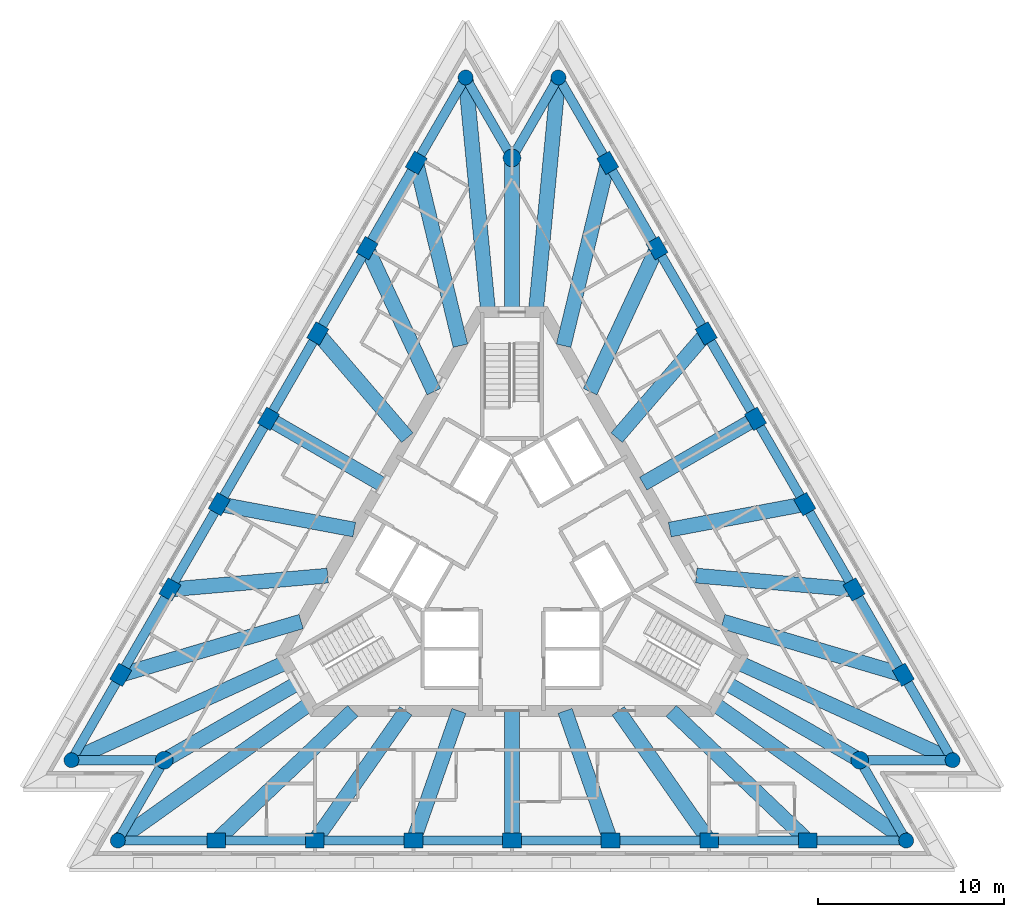
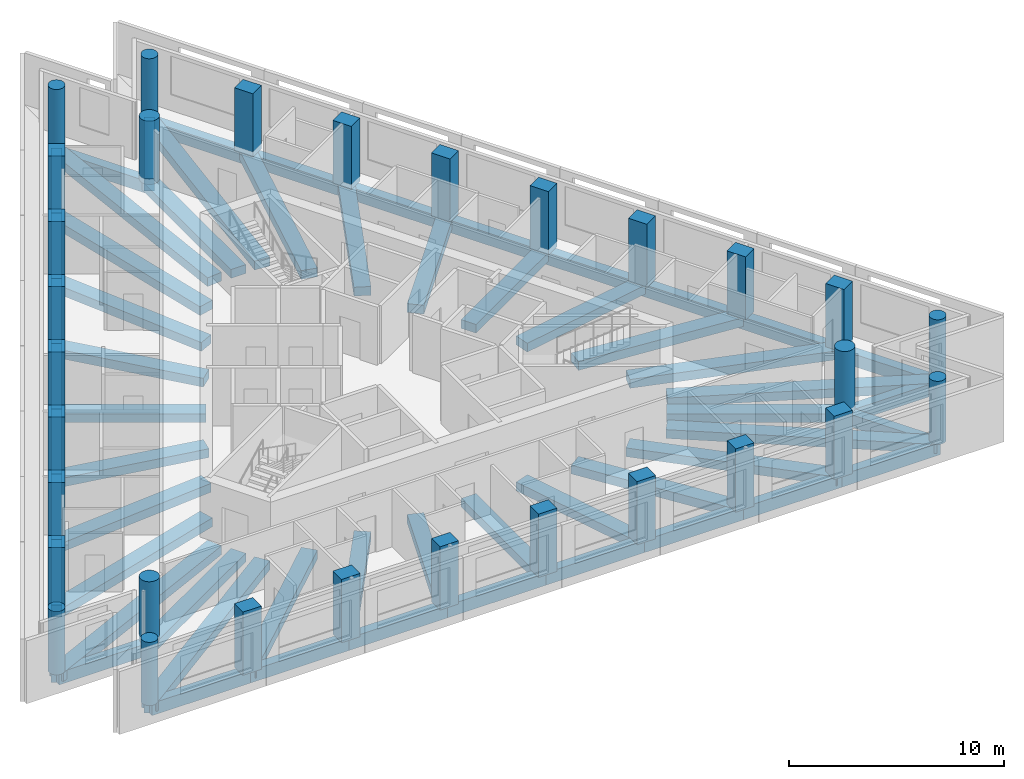
# One storey, part 1 of 11: 60 beams, 30 columns.
"""IFC4 building model written with IfcOpenShell, lengths in metres."""

from ifc_helpers import new_model, si_unit, direction, frame, origin, origin_2d, place, context, subcontext, project, spatial, rectangle, circle, extrude, material, material_profile, profile_set, type_object, element, save


model = new_model("IFC4")

# Units and contexts
model_context = context("Model", 3, precision=1e-05, world=origin(), true_north=direction((0.0, 1.0)))
body_context = subcontext(model_context, "Body", "Model", "MODEL_VIEW")
ifc_project = project(units=[si_unit("LENGTHUNIT", "METRE"), si_unit("AREAUNIT", "SQUARE_METRE"), si_unit("VOLUMEUNIT", "CUBIC_METRE"), si_unit("PLANEANGLEUNIT", "RADIAN"), si_unit("MASSUNIT", "GRAM", prefix="KILO")], contexts=[model_context])

# Site, building, storey
site_placement = place(None, origin())
site = spatial("IfcSite", under=ifc_project, at=site_placement, CompositionType="ELEMENT")
building_placement = place(site_placement, origin())
building = spatial("IfcBuilding", under=site, at=building_placement, Name="Triada Interchange Tower", CompositionType="ELEMENT")
storey_placement = place(building_placement, frame((0.0, 0.0, 307.89990234375)))
storey = spatial("IfcBuildingStorey", under=building, at=storey_placement, Name="L73", CompositionType="ELEMENT", Elevation=307.89990234375)

# Columns
ifc_material_1 = material(Name="Concrete C40/50", Category="concrete")
ifc_material_profile_1 = material_profile(ifc_material_1, rectangle(XDim=1.0, YDim=0.800048828125, at=origin_2d()), Name="RC 1000x800")
ifc_profile_set_1 = profile_set([ifc_material_profile_1], Name="Concrete C40/50")
column_type_1 = type_object("IfcColumnType", Name="Column D face RC 1000x800", PredefinedType="COLUMN", material=ifc_profile_set_1)
for number, where, z_axis, x_axis, name in (
    (1, (-5.14794921875, 21.3359375, -0.2998046875), (0.0, 0.0, 1.0), (0.5, 0.866025403784, 0.0), "Column CD02 L73"),
    (2, (-7.799072265625, 16.7451171875, -0.2998046875), (0.0, 0.0, 1.0), (0.5, 0.866025403784, 0.0), "Column CD03 L73"),
    (3, (-10.449951171875, 12.154052734375, -0.2998046875), (0.0, 0.0, 1.0), (0.5, 0.866025403784, 0.0), "Column CD04 L73"),
    (4, (-13.10009765625, 7.56298828125, -0.2998046875), (0.0, 0.0, 1.0), (0.5, 0.866025403784, 0.0), "Column CD05 L73"),
    (5, (-15.7509765625, 2.972900390625, -0.2998046875), (0.0, 0.0, 1.0), (0.5, 0.866025403784, 0.0), "Column CD06 L73"),
    (6, (-18.40087890625, -1.617919921875, -0.2998046875), (0.0, 0.0, 1.0), (0.5, 0.866025403784, 0.0), "Column CD07 L73"),
    (7, (-21.052001953125, -6.208984375, -0.2998046875), (0.0, 0.0, 1.0), (0.5, 0.866025403784, 0.0), "Column CD08 L73"),
    (8, (-15.903076171875, -15.126953125, -0.2998046875), (0.0, 0.0, 1.0), (1.0, 0.0, 0.0), "Column CD11 L73"),
    (9, (-10.60205078125, -15.126953125, -0.2998046875), (0.0, 0.0, 1.0), (1.0, 0.0, 0.0), "Column CD12 L73"),
    (10, (-5.301025390625, -15.126953125, -0.2998046875), (0.0, 0.0, 1.0), (1.0, 0.0, 0.0), "Column CD13 L73"),
    (11, (0.0, -15.126953125, -0.2998046875), (0.0, 0.0, 1.0), (1.0, 0.0, 0.0), "Column CD14 L73"),
    (12, (5.301025390625, -15.126953125, -0.2998046875), (0.0, 0.0, 1.0), (1.0, 0.0, 0.0), "Column CD15 L73"),
    (13, (10.60205078125, -15.126953125, -0.2998046875), (0.0, 0.0, 1.0), (1.0, 0.0, 0.0), "Column CD16 L73"),
    (14, (15.903076171875, -15.126953125, -0.2998046875), (0.0, 0.0, 1.0), (1.0, 0.0, 0.0), "Column CD17 L73"),
    (15, (21.052001953125, -6.208984375, -0.2998046875), (0.0, 0.0, 1.0), (-0.5, 0.866025403784, 0.0), "Column CD20 L73"),
    (16, (18.40087890625, -1.617919921875, -0.2998046875), (0.0, 0.0, 1.0), (-0.5, 0.866025403784, 0.0), "Column CD21 L73"),
    (17, (15.7509765625, 2.972900390625, -0.2998046875), (0.0, 0.0, 1.0), (-0.5, 0.866025403784, 0.0), "Column CD22 L73"),
    (18, (13.10009765625, 7.56396484375, -0.2998046875), (0.0, 0.0, 1.0), (-0.5, 0.866025403784, 0.0), "Column CD23 L73"),
    (19, (10.449951171875, 12.154052734375, -0.2998046875), (0.0, 0.0, 1.0), (-0.5, 0.866025403784, 0.0), "Column CD24 L73"),
    (20, (7.799072265625, 16.7451171875, -0.2998046875), (0.0, 0.0, 1.0), (-0.5, 0.866025403784, 0.0), "Column CD25 L73"),
    (21, (5.14892578125, 21.3359375, -0.2998046875), (0.0, 0.0, 1.0), (-0.5, 0.866025403784, 0.0), "Column CD26 L73"),
):
    element("IfcColumn", number, at=place(storey_placement, frame(where, z_axis=z_axis, x_axis=x_axis)), inside=storey, type_object=column_type_1, Name=name, PredefinedType="COLUMN", context=body_context, shape_type="SweptSolid", body=[
        extrude(rectangle(XDim=1.0, YDim=0.800048828125, at=origin_2d()), origin(), (0.0, 0.0, 1.0), 3.599853515625),
    ])
ifc_material_profile_2 = material_profile(ifc_material_1, circle(Radius=0.39990234375, at=origin_2d()), Name="RC D800")
ifc_profile_set_2 = profile_set([ifc_material_profile_2], Name="Concrete C40/50")
column_type_2 = type_object("IfcColumnType", Name="End column D RC D800", PredefinedType="COLUMN", material=ifc_profile_set_2)
for number, where, z_axis, x_axis, name in (
    (22, (-2.498046875, 25.927001953125, -0.2998046875), (0.0, 0.0, 1.0), (0.5, 0.866025403784, 0.0), "Column CD01 L73"),
    (23, (-23.701904296875, -10.800048828125, -0.2998046875), (0.0, 0.0, 1.0), (0.5, 0.866025403784, 0.0), "Column CD09 L73"),
    (24, (-21.2041015625, -15.126953125, -0.2998046875), (0.0, 0.0, 1.0), (1.0, 0.0, 0.0), "Column CD10 L73"),
    (25, (21.2041015625, -15.126953125, -0.2998046875), (0.0, 0.0, 1.0), (1.0, 0.0, 0.0), "Column CD18 L73"),
    (26, (23.701904296875, -10.800048828125, -0.2998046875), (0.0, 0.0, 1.0), (-0.5, 0.866025403784, 0.0), "Column CD19 L73"),
    (27, (2.498046875, 25.927001953125, -0.2998046875), (0.0, 0.0, 1.0), (-0.5, 0.866025403784, 0.0), "Column CD27 L73"),
):
    element("IfcColumn", number, at=place(storey_placement, frame(where, z_axis=z_axis, x_axis=x_axis)), inside=storey, type_object=column_type_2, Name=name, PredefinedType="COLUMN", context=body_context, shape_type="SweptSolid", body=[
        extrude(circle(Radius=0.39990234375, at=origin_2d()), origin(), (0.0, 0.0, 1.0), 3.599853515625),
    ])
ifc_material_profile_3 = material_profile(ifc_material_1, circle(Radius=0.47509765625, at=origin_2d()), Name="RC D950")
ifc_profile_set_3 = profile_set([ifc_material_profile_3], Name="Concrete C40/50")
column_type_3 = type_object("IfcColumnType", Name="Mega column D RC D950", PredefinedType="COLUMN", material=ifc_profile_set_3)
for number, where, z_axis, x_axis, name in (
    (28, (0.0, 21.59912109375, -0.2998046875), (0.0, 0.0, 1.0), (1.0, 0.0, 0.0), "Column MD1 L73"),
    (29, (-18.705078125, -10.800048828125, -0.2998046875), (0.0, 0.0, 1.0), (1.0, 0.0, 0.0), "Column MD2 L73"),
    (30, (18.705078125, -10.800048828125, -0.2998046875), (0.0, 0.0, 1.0), (1.0, 0.0, 0.0), "Column MD3 L73"),
):
    element("IfcColumn", number, at=place(storey_placement, frame(where, z_axis=z_axis, x_axis=x_axis)), inside=storey, type_object=column_type_3, Name=name, PredefinedType="COLUMN", context=body_context, shape_type="SweptSolid", body=[
        extrude(circle(Radius=0.47509765625, at=origin_2d()), origin(), (0.0, 0.0, 1.0), 3.599853515625),
    ])

# Beams
ifc_material_2 = material(Name="Concrete C50/60", Category="concrete")
ifc_material_profile_4 = material_profile(ifc_material_2, rectangle(XDim=0.800048828125, YDim=0.5, at=origin_2d()), Name="RC 800x500")
ifc_profile_set_4 = profile_set([ifc_material_profile_4], Name="Concrete C50/60")
beam_type_1 = type_object("IfcBeamType", Name="Radial band beam D RC 800x500", PredefinedType="BEAM", material=ifc_profile_set_4)
beam_1_placement = place(storey_placement, frame((-2.498046875, 25.927001953125, -0.5498046875), z_axis=(0.095939769878, -0.995387141044, 0.0), x_axis=(0.995387141044, 0.095939769878, 0.0)))
element("IfcBeam", 31, at=beam_1_placement, inside=storey, type_object=beam_type_1, Name="Radial band beam BD01 L73", PredefinedType="BEAM", context=body_context, shape_type="SweptSolid", body=[
    extrude(rectangle(XDim=0.800048828125, YDim=0.5, at=origin_2d()), origin(), (0.0, 0.0, 1.0), 12.685546875),
])
beam_2_placement = place(storey_placement, frame((-5.14794921875, 21.3359375, -0.5498046875), z_axis=(0.23453679136, -0.972107243826, 0.0), x_axis=(0.972107243826, 0.23453679136, 0.0)))
element("IfcBeam", 32, at=beam_2_placement, inside=storey, type_object=beam_type_1, Name="Radial band beam BD02 L73", PredefinedType="BEAM", context=body_context, shape_type="SweptSolid", body=[
    extrude(rectangle(XDim=0.800048828125, YDim=0.5, at=origin_2d()), origin(), (0.0, 0.0, 1.0), 10.1220703125),
])
beam_3_placement = place(storey_placement, frame((-7.799072265625, 16.7451171875, -0.5498046875), z_axis=(0.422213926037, -0.906496222088, 0.0), x_axis=(0.906496222088, 0.422213926037, 0.0)))
element("IfcBeam", 33, at=beam_3_placement, inside=storey, type_object=beam_type_1, Name="Radial band beam BD03 L73", PredefinedType="BEAM", context=body_context, shape_type="SweptSolid", body=[
    extrude(rectangle(XDim=0.800048828125, YDim=0.5, at=origin_2d()), origin(), (0.0, 0.0, 1.0), 8.519775390625),
])
beam_4_placement = place(storey_placement, frame((-10.449951171875, 12.154052734375, -0.5498046875), z_axis=(0.651957260015, -0.758255716176, 0.0), x_axis=(0.758255716176, 0.651957260015, 0.0)))
element("IfcBeam", 34, at=beam_4_placement, inside=storey, type_object=beam_type_1, Name="Radial band beam BD04 L73", PredefinedType="BEAM", context=body_context, shape_type="SweptSolid", body=[
    extrude(rectangle(XDim=0.800048828125, YDim=0.5, at=origin_2d()), origin(), (0.0, 0.0, 1.0), 7.393310546875),
])
beam_5_placement = place(storey_placement, frame((-13.10009765625, 7.56298828125, -0.5498046875), z_axis=(0.866044563634, -0.499966812698, 0.0), x_axis=(0.499966812698, 0.866044563634, 0.0)))
element("IfcBeam", 35, at=beam_5_placement, inside=storey, type_object=beam_type_1, Name="Radial band beam BD05 L73", PredefinedType="BEAM", context=body_context, shape_type="SweptSolid", body=[
    extrude(rectangle(XDim=0.800048828125, YDim=0.5, at=origin_2d()), origin(), (0.0, 0.0, 1.0), 6.9765625),
])
beam_6_placement = place(storey_placement, frame((-15.7509765625, 2.972900390625, -0.5498046875), z_axis=(0.98265881565, -0.18542290049, 0.0), x_axis=(0.18542290049, 0.98265881565, 0.0)))
element("IfcBeam", 36, at=beam_6_placement, inside=storey, type_object=beam_type_1, Name="Radial band beam BD06 L73", PredefinedType="BEAM", context=body_context, shape_type="SweptSolid", body=[
    extrude(rectangle(XDim=0.800048828125, YDim=0.5, at=origin_2d()), origin(), (0.0, 0.0, 1.0), 7.39306640625),
])
beam_7_placement = place(storey_placement, frame((-18.40087890625, -1.617919921875, -0.5498046875), z_axis=(0.99616048749, 0.087545891758, 0.0), x_axis=(-0.087545891758, 0.99616048749, 0.0)))
element("IfcBeam", 37, at=beam_7_placement, inside=storey, type_object=beam_type_1, Name="Radial band beam BD07 L73", PredefinedType="BEAM", context=body_context, shape_type="SweptSolid", body=[
    extrude(rectangle(XDim=0.800048828125, YDim=0.5, at=origin_2d()), origin(), (0.0, 0.0, 1.0), 8.51953125),
])
beam_8_placement = place(storey_placement, frame((-21.052001953125, -6.208984375, -0.5498046875), z_axis=(0.959147479371, 0.282906544315, 0.0), x_axis=(-0.282906544315, 0.959147479371, 0.0)))
element("IfcBeam", 38, at=beam_8_placement, inside=storey, type_object=beam_type_1, Name="Radial band beam BD08 L73", PredefinedType="BEAM", context=body_context, shape_type="SweptSolid", body=[
    extrude(rectangle(XDim=0.800048828125, YDim=0.5, at=origin_2d()), origin(), (0.0, 0.0, 1.0), 10.12353515625),
])
beam_9_placement = place(storey_placement, frame((-23.701904296875, -10.800048828125, -0.5498046875), z_axis=(0.909973888485, 0.414665554725, 0.0), x_axis=(-0.414665554725, 0.909973888485, 0.0)))
element("IfcBeam", 39, at=beam_9_placement, inside=storey, type_object=beam_type_1, Name="Radial band beam BD09 L73", PredefinedType="BEAM", context=body_context, shape_type="SweptSolid", body=[
    extrude(rectangle(XDim=0.800048828125, YDim=0.5, at=origin_2d()), origin(), (0.0, 0.0, 1.0), 12.68505859375),
])
beam_10_placement = place(storey_placement, frame((-18.705078125, -10.800048828125, -0.5498046875), z_axis=(0.865987661239, 0.500065366309, 0.0), x_axis=(-0.500065366309, 0.865987661239, 0.0)))
element("IfcBeam", 40, at=beam_10_placement, inside=storey, type_object=beam_type_1, Name="Radial band beam BD10 L73", PredefinedType="BEAM", context=body_context, shape_type="SweptSolid", body=[
    extrude(rectangle(XDim=0.800048828125, YDim=0.5, at=origin_2d()), origin(), (0.0, 0.0, 1.0), 8.29931640625),
])
beam_11_placement = place(storey_placement, frame((-21.2041015625, -15.126953125, -0.5498046875), z_axis=(0.814090922147, 0.58073743678, 0.0), x_axis=(-0.58073743678, 0.814090922147, 0.0)))
element("IfcBeam", 41, at=beam_11_placement, inside=storey, type_object=beam_type_1, Name="Radial band beam BD11 L73", PredefinedType="BEAM", context=body_context, shape_type="SweptSolid", body=[
    extrude(rectangle(XDim=0.800048828125, YDim=0.5, at=origin_2d()), origin(), (0.0, 0.0, 1.0), 12.685546875),
])
beam_12_placement = place(storey_placement, frame((-15.903076171875, -15.126953125, -0.5498046875), z_axis=(0.724563348974, 0.689208207528, 0.0), x_axis=(-0.689208207528, 0.724563348974, 0.0)))
element("IfcBeam", 42, at=beam_12_placement, inside=storey, type_object=beam_type_1, Name="Radial band beam BD12 L73", PredefinedType="BEAM", context=body_context, shape_type="SweptSolid", body=[
    extrude(rectangle(XDim=0.800048828125, YDim=0.5, at=origin_2d()), origin(), (0.0, 0.0, 1.0), 10.123291015625),
])
beam_13_placement = place(storey_placement, frame((-10.60205078125, -15.126953125, -0.5498046875), z_axis=(0.573950716028, 0.818889843368, 0.0), x_axis=(-0.818889843368, 0.573950716028, 0.0)))
element("IfcBeam", 43, at=beam_13_placement, inside=storey, type_object=beam_type_1, Name="Radial band beam BD13 L73", PredefinedType="BEAM", context=body_context, shape_type="SweptSolid", body=[
    extrude(rectangle(XDim=0.800048828125, YDim=0.5, at=origin_2d()), origin(), (0.0, 0.0, 1.0), 8.52001953125),
])
beam_14_placement = place(storey_placement, frame((-5.301025390625, -15.126953125, -0.5498046875), z_axis=(0.330724020602, 0.943727514803, 0.0), x_axis=(-0.943727514803, 0.330724020602, 0.0)))
element("IfcBeam", 44, at=beam_14_placement, inside=storey, type_object=beam_type_1, Name="Radial band beam BD14 L73", PredefinedType="BEAM", context=body_context, shape_type="SweptSolid", body=[
    extrude(rectangle(XDim=0.800048828125, YDim=0.5, at=origin_2d()), origin(), (0.0, 0.0, 1.0), 7.39306640625),
])
beam_15_placement = place(storey_placement, frame((0.0, -15.126953125, -0.5498046875), z_axis=(0.0, 1.0, 0.0), x_axis=(-1.0, 0.0, 0.0)))
element("IfcBeam", 45, at=beam_15_placement, inside=storey, type_object=beam_type_1, Name="Radial band beam BD15 L73", PredefinedType="BEAM", context=body_context, shape_type="SweptSolid", body=[
    extrude(rectangle(XDim=0.800048828125, YDim=0.5, at=origin_2d()), origin(), (0.0, 0.0, 1.0), 6.97705078125),
])
beam_16_placement = place(storey_placement, frame((5.301025390625, -15.126953125, -0.5498046875), z_axis=(-0.330724020602, 0.943727514803, 0.0), x_axis=(-0.943727514803, -0.330724020602, 0.0)))
element("IfcBeam", 46, at=beam_16_placement, inside=storey, type_object=beam_type_1, Name="Radial band beam BD16 L73", PredefinedType="BEAM", context=body_context, shape_type="SweptSolid", body=[
    extrude(rectangle(XDim=0.800048828125, YDim=0.5, at=origin_2d()), origin(), (0.0, 0.0, 1.0), 7.39306640625),
])
beam_17_placement = place(storey_placement, frame((10.60205078125, -15.126953125, -0.5498046875), z_axis=(-0.573950716028, 0.818889843368, 0.0), x_axis=(-0.818889843368, -0.573950716028, 0.0)))
element("IfcBeam", 47, at=beam_17_placement, inside=storey, type_object=beam_type_1, Name="Radial band beam BD17 L73", PredefinedType="BEAM", context=body_context, shape_type="SweptSolid", body=[
    extrude(rectangle(XDim=0.800048828125, YDim=0.5, at=origin_2d()), origin(), (0.0, 0.0, 1.0), 8.52001953125),
])
beam_18_placement = place(storey_placement, frame((15.903076171875, -15.126953125, -0.5498046875), z_axis=(-0.724563348974, 0.689208207528, 0.0), x_axis=(-0.689208207528, -0.724563348974, 0.0)))
element("IfcBeam", 48, at=beam_18_placement, inside=storey, type_object=beam_type_1, Name="Radial band beam BD18 L73", PredefinedType="BEAM", context=body_context, shape_type="SweptSolid", body=[
    extrude(rectangle(XDim=0.800048828125, YDim=0.5, at=origin_2d()), origin(), (0.0, 0.0, 1.0), 10.123291015625),
])
beam_19_placement = place(storey_placement, frame((21.2041015625, -15.126953125, -0.5498046875), z_axis=(-0.814090922147, 0.58073743678, 0.0), x_axis=(-0.58073743678, -0.814090922147, 0.0)))
element("IfcBeam", 49, at=beam_19_placement, inside=storey, type_object=beam_type_1, Name="Radial band beam BD19 L73", PredefinedType="BEAM", context=body_context, shape_type="SweptSolid", body=[
    extrude(rectangle(XDim=0.800048828125, YDim=0.5, at=origin_2d()), origin(), (0.0, 0.0, 1.0), 12.685546875),
])
beam_20_placement = place(storey_placement, frame((18.705078125, -10.800048828125, -0.5498046875), z_axis=(-0.865987661239, 0.500065366309, 0.0), x_axis=(-0.500065366309, -0.865987661239, 0.0)))
element("IfcBeam", 50, at=beam_20_placement, inside=storey, type_object=beam_type_1, Name="Radial band beam BD20 L73", PredefinedType="BEAM", context=body_context, shape_type="SweptSolid", body=[
    extrude(rectangle(XDim=0.800048828125, YDim=0.5, at=origin_2d()), origin(), (0.0, 0.0, 1.0), 8.29931640625),
])
beam_21_placement = place(storey_placement, frame((23.701904296875, -10.800048828125, -0.5498046875), z_axis=(-0.909973888485, 0.414665554725, 0.0), x_axis=(-0.414665554725, -0.909973888485, 0.0)))
element("IfcBeam", 51, at=beam_21_placement, inside=storey, type_object=beam_type_1, Name="Radial band beam BD21 L73", PredefinedType="BEAM", context=body_context, shape_type="SweptSolid", body=[
    extrude(rectangle(XDim=0.800048828125, YDim=0.5, at=origin_2d()), origin(), (0.0, 0.0, 1.0), 12.68505859375),
])
beam_22_placement = place(storey_placement, frame((21.052001953125, -6.208984375, -0.5498046875), z_axis=(-0.959147479371, 0.282906544315, 0.0), x_axis=(-0.282906544315, -0.959147479371, 0.0)))
element("IfcBeam", 52, at=beam_22_placement, inside=storey, type_object=beam_type_1, Name="Radial band beam BD22 L73", PredefinedType="BEAM", context=body_context, shape_type="SweptSolid", body=[
    extrude(rectangle(XDim=0.800048828125, YDim=0.5, at=origin_2d()), origin(), (0.0, 0.0, 1.0), 10.12353515625),
])
beam_23_placement = place(storey_placement, frame((18.40087890625, -1.617919921875, -0.5498046875), z_axis=(-0.99616048749, 0.087545891758, 0.0), x_axis=(-0.087545891758, -0.99616048749, 0.0)))
element("IfcBeam", 53, at=beam_23_placement, inside=storey, type_object=beam_type_1, Name="Radial band beam BD23 L73", PredefinedType="BEAM", context=body_context, shape_type="SweptSolid", body=[
    extrude(rectangle(XDim=0.800048828125, YDim=0.5, at=origin_2d()), origin(), (0.0, 0.0, 1.0), 8.51953125),
])
beam_24_placement = place(storey_placement, frame((15.7509765625, 2.972900390625, -0.5498046875), z_axis=(-0.98265881565, -0.18542290049, 0.0), x_axis=(0.18542290049, -0.98265881565, 0.0)))
element("IfcBeam", 54, at=beam_24_placement, inside=storey, type_object=beam_type_1, Name="Radial band beam BD24 L73", PredefinedType="BEAM", context=body_context, shape_type="SweptSolid", body=[
    extrude(rectangle(XDim=0.800048828125, YDim=0.5, at=origin_2d()), origin(), (0.0, 0.0, 1.0), 7.39306640625),
])
beam_25_placement = place(storey_placement, frame((13.10009765625, 7.56396484375, -0.5498046875), z_axis=(-0.865983951896, -0.500071789904, 0.0), x_axis=(0.500071789904, -0.865983951896, 0.0)))
element("IfcBeam", 55, at=beam_25_placement, inside=storey, type_object=beam_type_1, Name="Radial band beam BD25 L73", PredefinedType="BEAM", context=body_context, shape_type="SweptSolid", body=[
    extrude(rectangle(XDim=0.800048828125, YDim=0.5, at=origin_2d()), origin(), (0.0, 0.0, 1.0), 6.97705078125),
])
beam_26_placement = place(storey_placement, frame((10.449951171875, 12.154052734375, -0.5498046875), z_axis=(-0.651957260015, -0.758255716176, 0.0), x_axis=(0.758255716176, -0.651957260015, 0.0)))
element("IfcBeam", 56, at=beam_26_placement, inside=storey, type_object=beam_type_1, Name="Radial band beam BD26 L73", PredefinedType="BEAM", context=body_context, shape_type="SweptSolid", body=[
    extrude(rectangle(XDim=0.800048828125, YDim=0.5, at=origin_2d()), origin(), (0.0, 0.0, 1.0), 7.393310546875),
])
beam_27_placement = place(storey_placement, frame((7.799072265625, 16.7451171875, -0.5498046875), z_axis=(-0.422213926037, -0.906496222088, 0.0), x_axis=(0.906496222088, -0.422213926037, 0.0)))
element("IfcBeam", 57, at=beam_27_placement, inside=storey, type_object=beam_type_1, Name="Radial band beam BD27 L73", PredefinedType="BEAM", context=body_context, shape_type="SweptSolid", body=[
    extrude(rectangle(XDim=0.800048828125, YDim=0.5, at=origin_2d()), origin(), (0.0, 0.0, 1.0), 8.519775390625),
])
beam_28_placement = place(storey_placement, frame((5.14892578125, 21.3359375, -0.5498046875), z_axis=(-0.234605956845, -0.972090553916, 0.0), x_axis=(0.972090553916, -0.234605956845, 0.0)))
element("IfcBeam", 58, at=beam_28_placement, inside=storey, type_object=beam_type_1, Name="Radial band beam BD28 L73", PredefinedType="BEAM", context=body_context, shape_type="SweptSolid", body=[
    extrude(rectangle(XDim=0.800048828125, YDim=0.5, at=origin_2d()), origin(), (0.0, 0.0, 1.0), 10.123291015625),
])
beam_29_placement = place(storey_placement, frame((2.498046875, 25.927001953125, -0.5498046875), z_axis=(-0.095939769878, -0.995387141044, 0.0), x_axis=(0.995387141044, -0.095939769878, 0.0)))
element("IfcBeam", 59, at=beam_29_placement, inside=storey, type_object=beam_type_1, Name="Radial band beam BD29 L73", PredefinedType="BEAM", context=body_context, shape_type="SweptSolid", body=[
    extrude(rectangle(XDim=0.800048828125, YDim=0.5, at=origin_2d()), origin(), (0.0, 0.0, 1.0), 12.685546875),
])
beam_30_placement = place(storey_placement, frame((0.0, 21.59912109375, -0.5498046875), z_axis=(0.0, -1.0, 0.0), x_axis=(1.0, 0.0, 0.0)))
element("IfcBeam", 60, at=beam_30_placement, inside=storey, type_object=beam_type_1, Name="Radial band beam BD30 L73", PredefinedType="BEAM", context=body_context, shape_type="SweptSolid", body=[
    extrude(rectangle(XDim=0.800048828125, YDim=0.5, at=origin_2d()), origin(), (0.0, 0.0, 1.0), 8.299072265625),
])
ifc_material_profile_5 = material_profile(ifc_material_2, rectangle(XDim=0.5, YDim=0.699951171875, at=origin_2d()), Name="RC 500x700")
ifc_profile_set_5 = profile_set([ifc_material_profile_5], Name="Concrete C50/60")
beam_type_2 = type_object("IfcBeamType", Name="Spandrel beam D RC 500x700", PredefinedType="BEAM", material=ifc_profile_set_5)
beam_31_placement = place(storey_placement, frame((-2.498046875, 25.927001953125, -0.64990234375), z_axis=(-0.499893889275, -0.866086658173, 0.0), x_axis=(0.866086658173, -0.499893889275, 0.0)))
element("IfcBeam", 61, at=beam_31_placement, inside=storey, type_object=beam_type_2, Name="Spandrel beam ED01 L73", PredefinedType="BEAM", context=body_context, shape_type="SweptSolid", body=[
    extrude(rectangle(XDim=0.5, YDim=0.699951171875, at=origin_2d()), origin(), (0.0, 0.0, 1.0), 5.301025390625),
])
beam_32_placement = place(storey_placement, frame((-5.14794921875, 21.3359375, -0.64990234375), z_axis=(-0.500086537648, -0.865975435485, 0.0), x_axis=(0.865975435485, -0.500086537648, 0.0)))
element("IfcBeam", 62, at=beam_32_placement, inside=storey, type_object=beam_type_2, Name="Spandrel beam ED02 L73", PredefinedType="BEAM", context=body_context, shape_type="SweptSolid", body=[
    extrude(rectangle(XDim=0.5, YDim=0.699951171875, at=origin_2d()), origin(), (0.0, 0.0, 1.0), 5.30126953125),
])
beam_33_placement = place(storey_placement, frame((-7.799072265625, 16.7451171875, -0.64990234375), z_axis=(-0.500032058303, -0.866006894123, 0.0), x_axis=(0.866006894123, -0.500032058303, 0.0)))
element("IfcBeam", 63, at=beam_33_placement, inside=storey, type_object=beam_type_2, Name="Spandrel beam ED03 L73", PredefinedType="BEAM", context=body_context, shape_type="SweptSolid", body=[
    extrude(rectangle(XDim=0.5, YDim=0.699951171875, at=origin_2d()), origin(), (0.0, 0.0, 1.0), 5.301513671875),
])
beam_34_placement = place(storey_placement, frame((-10.449951171875, 12.154052734375, -0.64990234375), z_axis=(-0.499928435111, -0.86606671785, 0.0), x_axis=(0.86606671785, -0.499928435111, 0.0)))
element("IfcBeam", 64, at=beam_34_placement, inside=storey, type_object=beam_type_2, Name="Spandrel beam ED04 L73", PredefinedType="BEAM", context=body_context, shape_type="SweptSolid", body=[
    extrude(rectangle(XDim=0.5, YDim=0.699951171875, at=origin_2d()), origin(), (0.0, 0.0, 1.0), 5.301025390625),
])
beam_35_placement = place(storey_placement, frame((-13.10009765625, 7.56298828125, -0.64990234375), z_axis=(-0.500111836632, -0.865960825246, 0.0), x_axis=(0.865960825246, -0.500111836632, 0.0)))
element("IfcBeam", 65, at=beam_35_placement, inside=storey, type_object=beam_type_2, Name="Spandrel beam ED05 L73", PredefinedType="BEAM", context=body_context, shape_type="SweptSolid", body=[
    extrude(rectangle(XDim=0.5, YDim=0.699951171875, at=origin_2d()), origin(), (0.0, 0.0, 1.0), 5.300537109375),
])
beam_36_placement = place(storey_placement, frame((-15.7509765625, 2.972900390625, -0.64990234375), z_axis=(-0.499913830031, -0.866075148324, 0.0), x_axis=(0.866075148324, -0.499913830031, 0.0)))
element("IfcBeam", 66, at=beam_36_placement, inside=storey, type_object=beam_type_2, Name="Spandrel beam ED06 L73", PredefinedType="BEAM", context=body_context, shape_type="SweptSolid", body=[
    extrude(rectangle(XDim=0.5, YDim=0.699951171875, at=origin_2d()), origin(), (0.0, 0.0, 1.0), 5.30078125),
])
beam_37_placement = place(storey_placement, frame((-18.40087890625, -1.617919921875, -0.64990234375), z_axis=(-0.500066594595, -0.865986951963, 0.0), x_axis=(0.865986951963, -0.500066594595, 0.0)))
element("IfcBeam", 67, at=beam_37_placement, inside=storey, type_object=beam_type_2, Name="Spandrel beam ED07 L73", PredefinedType="BEAM", context=body_context, shape_type="SweptSolid", body=[
    extrude(rectangle(XDim=0.5, YDim=0.699951171875, at=origin_2d()), origin(), (0.0, 0.0, 1.0), 5.301513671875),
])
beam_38_placement = place(storey_placement, frame((-21.052001953125, -6.208984375, -0.64990234375), z_axis=(-0.499893889275, -0.866086658173, 0.0), x_axis=(0.866086658173, -0.499893889275, 0.0)))
element("IfcBeam", 68, at=beam_38_placement, inside=storey, type_object=beam_type_2, Name="Spandrel beam ED08 L73", PredefinedType="BEAM", context=body_context, shape_type="SweptSolid", body=[
    extrude(rectangle(XDim=0.5, YDim=0.699951171875, at=origin_2d()), origin(), (0.0, 0.0, 1.0), 5.301025390625),
])
for number, where, z_axis, x_axis, name in (
    (69, (-23.701904296875, -10.800048828125, -0.64990234375), (1.0, 0.0, 0.0), (0.0, 1.0, 0.0), "Spandrel beam ED09 L73"),
    (70, (-18.705078125, -10.800048828125, -0.64990234375), (-0.5001326927, -0.865948780063, 0.0), (0.865948780063, -0.5001326927, 0.0), "Spandrel beam ED10 L73"),
):
    element("IfcBeam", number, at=place(storey_placement, frame(where, z_axis=z_axis, x_axis=x_axis)), inside=storey, type_object=beam_type_2, Name=name, PredefinedType="BEAM", context=body_context, shape_type="SweptSolid", body=[
        extrude(rectangle(XDim=0.5, YDim=0.699951171875, at=origin_2d()), origin(), (0.0, 0.0, 1.0), 4.996826171875),
    ])
for number, where, z_axis, x_axis, name in (
    (71, (-21.2041015625, -15.126953125, -0.64990234375), (1.0, 0.0, 0.0), (0.0, 1.0, 0.0), "Spandrel beam ED11 L73"),
    (72, (-15.903076171875, -15.126953125, -0.64990234375), (1.0, 0.0, 0.0), (0.0, 1.0, 0.0), "Spandrel beam ED12 L73"),
    (73, (-10.60205078125, -15.126953125, -0.64990234375), (1.0, 0.0, 0.0), (0.0, 1.0, 0.0), "Spandrel beam ED13 L73"),
    (74, (-5.301025390625, -15.126953125, -0.64990234375), (1.0, 0.0, 0.0), (0.0, 1.0, 0.0), "Spandrel beam ED14 L73"),
    (75, (0.0, -15.126953125, -0.64990234375), (1.0, 0.0, 0.0), (0.0, 1.0, 0.0), "Spandrel beam ED15 L73"),
    (76, (5.301025390625, -15.126953125, -0.64990234375), (1.0, 0.0, 0.0), (0.0, 1.0, 0.0), "Spandrel beam ED16 L73"),
    (77, (10.60205078125, -15.126953125, -0.64990234375), (1.0, 0.0, 0.0), (0.0, 1.0, 0.0), "Spandrel beam ED17 L73"),
    (78, (15.903076171875, -15.126953125, -0.64990234375), (1.0, 0.0, 0.0), (0.0, 1.0, 0.0), "Spandrel beam ED18 L73"),
):
    element("IfcBeam", number, at=place(storey_placement, frame(where, z_axis=z_axis, x_axis=x_axis)), inside=storey, type_object=beam_type_2, Name=name, PredefinedType="BEAM", context=body_context, shape_type="SweptSolid", body=[
        extrude(rectangle(XDim=0.5, YDim=0.699951171875, at=origin_2d()), origin(), (0.0, 0.0, 1.0), 5.301025390625),
    ])
for number, where, z_axis, x_axis, name in (
    (79, (21.2041015625, -15.126953125, -0.64990234375), (-0.5001326927, 0.865948780063, 0.0), (-0.865948780063, -0.5001326927, 0.0), "Spandrel beam ED19 L73"),
    (80, (18.705078125, -10.800048828125, -0.64990234375), (1.0, 0.0, 0.0), (0.0, 1.0, 0.0), "Spandrel beam ED20 L73"),
):
    element("IfcBeam", number, at=place(storey_placement, frame(where, z_axis=z_axis, x_axis=x_axis)), inside=storey, type_object=beam_type_2, Name=name, PredefinedType="BEAM", context=body_context, shape_type="SweptSolid", body=[
        extrude(rectangle(XDim=0.5, YDim=0.699951171875, at=origin_2d()), origin(), (0.0, 0.0, 1.0), 4.996826171875),
    ])
beam_39_placement = place(storey_placement, frame((23.701904296875, -10.800048828125, -0.64990234375), z_axis=(-0.499893889275, 0.866086658173, 0.0), x_axis=(-0.866086658173, -0.499893889275, 0.0)))
element("IfcBeam", 81, at=beam_39_placement, inside=storey, type_object=beam_type_2, Name="Spandrel beam ED21 L73", PredefinedType="BEAM", context=body_context, shape_type="SweptSolid", body=[
    extrude(rectangle(XDim=0.5, YDim=0.699951171875, at=origin_2d()), origin(), (0.0, 0.0, 1.0), 5.301025390625),
])
beam_40_placement = place(storey_placement, frame((21.052001953125, -6.208984375, -0.64990234375), z_axis=(-0.500066594595, 0.865986951963, 0.0), x_axis=(-0.865986951963, -0.500066594595, 0.0)))
element("IfcBeam", 82, at=beam_40_placement, inside=storey, type_object=beam_type_2, Name="Spandrel beam ED22 L73", PredefinedType="BEAM", context=body_context, shape_type="SweptSolid", body=[
    extrude(rectangle(XDim=0.5, YDim=0.699951171875, at=origin_2d()), origin(), (0.0, 0.0, 1.0), 5.301513671875),
])
beam_41_placement = place(storey_placement, frame((18.40087890625, -1.617919921875, -0.64990234375), z_axis=(-0.499913830031, 0.866075148324, 0.0), x_axis=(-0.866075148324, -0.499913830031, 0.0)))
element("IfcBeam", 83, at=beam_41_placement, inside=storey, type_object=beam_type_2, Name="Spandrel beam ED23 L73", PredefinedType="BEAM", context=body_context, shape_type="SweptSolid", body=[
    extrude(rectangle(XDim=0.5, YDim=0.699951171875, at=origin_2d()), origin(), (0.0, 0.0, 1.0), 5.30078125),
])
beam_42_placement = place(storey_placement, frame((15.7509765625, 2.972900390625, -0.64990234375), z_axis=(-0.500032058303, 0.866006894123, 0.0), x_axis=(-0.866006894123, -0.500032058303, 0.0)))
element("IfcBeam", 84, at=beam_42_placement, inside=storey, type_object=beam_type_2, Name="Spandrel beam ED24 L73", PredefinedType="BEAM", context=body_context, shape_type="SweptSolid", body=[
    extrude(rectangle(XDim=0.5, YDim=0.699951171875, at=origin_2d()), origin(), (0.0, 0.0, 1.0), 5.301513671875),
])
beam_43_placement = place(storey_placement, frame((13.10009765625, 7.56396484375, -0.64990234375), z_axis=(-0.50000820793, 0.866020664882, 0.0), x_axis=(-0.866020664882, -0.50000820793, 0.0)))
element("IfcBeam", 85, at=beam_43_placement, inside=storey, type_object=beam_type_2, Name="Spandrel beam ED25 L73", PredefinedType="BEAM", context=body_context, shape_type="SweptSolid", body=[
    extrude(rectangle(XDim=0.5, YDim=0.699951171875, at=origin_2d()), origin(), (0.0, 0.0, 1.0), 5.30029296875),
])
beam_44_placement = place(storey_placement, frame((10.449951171875, 12.154052734375, -0.64990234375), z_axis=(-0.500032058303, 0.866006894123, 0.0), x_axis=(-0.866006894123, -0.500032058303, 0.0)))
element("IfcBeam", 86, at=beam_44_placement, inside=storey, type_object=beam_type_2, Name="Spandrel beam ED26 L73", PredefinedType="BEAM", context=body_context, shape_type="SweptSolid", body=[
    extrude(rectangle(XDim=0.5, YDim=0.699951171875, at=origin_2d()), origin(), (0.0, 0.0, 1.0), 5.301513671875),
])
beam_45_placement = place(storey_placement, frame((7.799072265625, 16.7451171875, -0.64990234375), z_axis=(-0.499948376327, 0.866055206675, 0.0), x_axis=(-0.866055206675, -0.499948376327, 0.0)))
element("IfcBeam", 87, at=beam_45_placement, inside=storey, type_object=beam_type_2, Name="Spandrel beam ED27 L73", PredefinedType="BEAM", context=body_context, shape_type="SweptSolid", body=[
    extrude(rectangle(XDim=0.5, YDim=0.699951171875, at=origin_2d()), origin(), (0.0, 0.0, 1.0), 5.30078125),
])
beam_46_placement = place(storey_placement, frame((5.14892578125, 21.3359375, -0.64990234375), z_axis=(-0.500032058303, 0.866006894123, 0.0), x_axis=(-0.866006894123, -0.500032058303, 0.0)))
element("IfcBeam", 88, at=beam_46_placement, inside=storey, type_object=beam_type_2, Name="Spandrel beam ED28 L73", PredefinedType="BEAM", context=body_context, shape_type="SweptSolid", body=[
    extrude(rectangle(XDim=0.5, YDim=0.699951171875, at=origin_2d()), origin(), (0.0, 0.0, 1.0), 5.301513671875),
])
for number, where, z_axis, x_axis, name in (
    (89, (2.498046875, 25.927001953125, -0.64990234375), (-0.499901493578, -0.866082269024, 0.0), (0.866082269024, -0.499901493578, 0.0), "Spandrel beam ED29 L73"),
    (90, (0.0, 21.59912109375, -0.64990234375), (-0.499901493578, 0.866082269024, 0.0), (-0.866082269024, -0.499901493578, 0.0), "Spandrel beam ED30 L73"),
):
    element("IfcBeam", number, at=place(storey_placement, frame(where, z_axis=z_axis, x_axis=x_axis)), inside=storey, type_object=beam_type_2, Name=name, PredefinedType="BEAM", context=body_context, shape_type="SweptSolid", body=[
        extrude(rectangle(XDim=0.5, YDim=0.699951171875, at=origin_2d()), origin(), (0.0, 0.0, 1.0), 4.9970703125),
    ])

save(model, "model.ifc")
